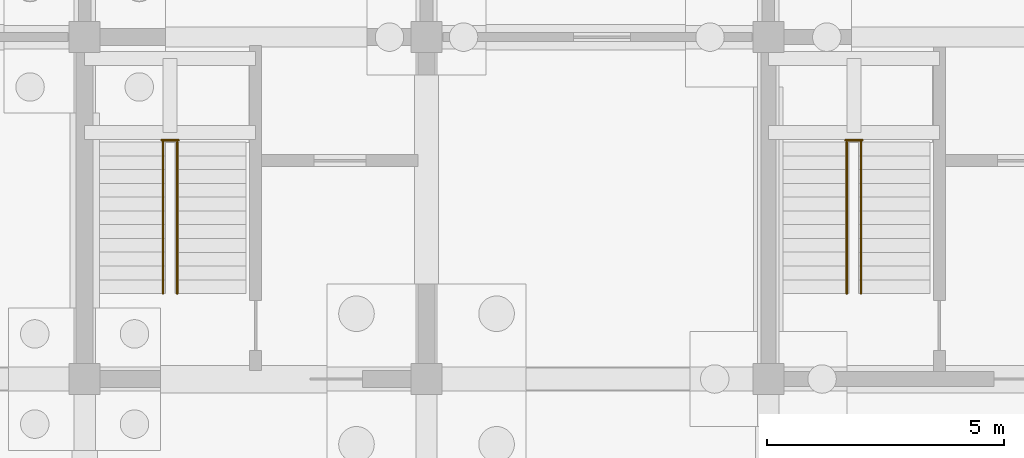
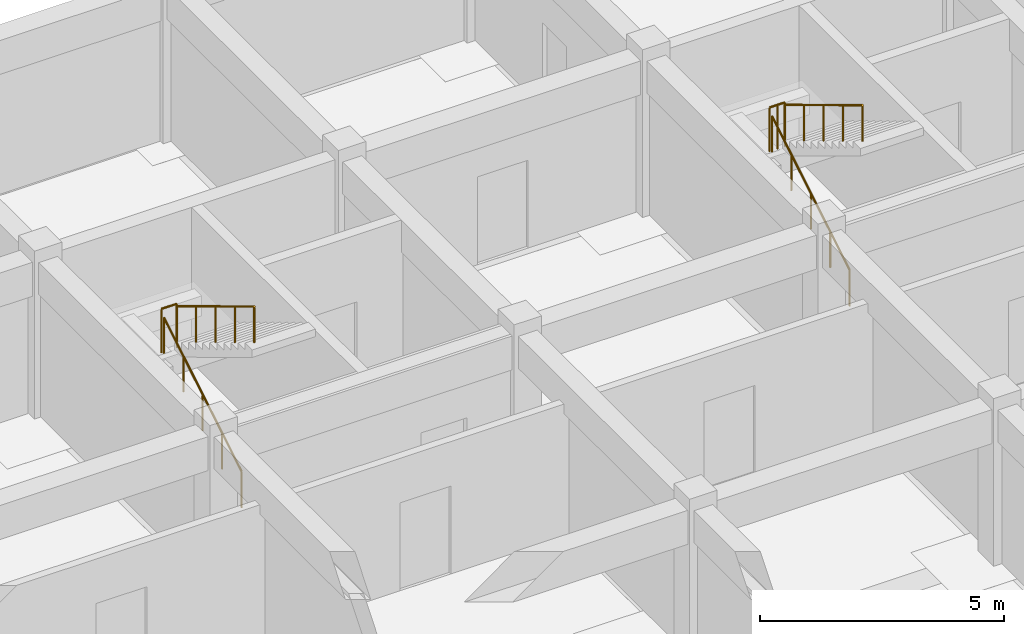
# One storey, part 38 of 38: 6 railings.
"""IFC4 building model written with IfcOpenShell, lengths in metres."""

from ifc_helpers import new_model, si_unit, direction, frame, origin, origin_2d, place, context, subcontext, project, spatial, circle, extrude, material, type_object, element, save


model = new_model("IFC4")

# Units and contexts
model_context = context("Model", 3, precision=1e-05, world=origin(), true_north=direction((0.0, 1.0)))
body_context = subcontext(model_context, "Body", "Model", "MODEL_VIEW")
ifc_project = project(units=[si_unit("LENGTHUNIT", "METRE"), si_unit("AREAUNIT", "SQUARE_METRE"), si_unit("VOLUMEUNIT", "CUBIC_METRE"), si_unit("PLANEANGLEUNIT", "RADIAN"), si_unit("MASSUNIT", "GRAM", prefix="KILO"), si_unit("THERMODYNAMICTEMPERATUREUNIT", "KELVIN"), si_unit("POWERUNIT", "WATT")], contexts=[model_context])

# Site, building, storey
site_placement = place(None, origin())
site = spatial("IfcSite", under=ifc_project, at=site_placement, CompositionType="ELEMENT")
building_placement = place(site_placement, origin())
building = spatial("IfcBuilding", under=site, at=building_placement, Name="Tavuni Mirador Residences", CompositionType="ELEMENT")
storey_placement = place(building_placement, frame((0.0, 0.0, -4.199951171875)))
storey = spatial("IfcBuildingStorey", under=building, at=storey_placement, Name="B1", CompositionType="ELEMENT", Elevation=-4.199951171875)

# Railings
ifc_material = material(Name="Structural steel S355", Category="steel")
railing_type_1 = type_object("IfcRailingType", Name="RT-GR1120", PredefinedType="GUARDRAIL", material=ifc_material)
railing_1_placement = place(storey_placement, frame((26.820068359375, 163.429931640625, 2.099853515625)))
element("IfcRailing", 1, at=railing_1_placement, inside=storey, type_object=railing_type_1, Name="GRD-HL-ST5-B1", PredefinedType="GUARDRAIL", context=body_context, shape_type="SweptSolid", body=[
    extrude(circle(Radius=0.02392578125, at=origin_2d()), frame((0.0, 0.0, 1.09619140625), z_axis=(1.0, 0.0, 0.0), x_axis=(0.0, 1.0, 0.0)), (0.0, 0.0, 1.0), 0.35986328125),
    extrude(circle(Radius=0.02099609375, at=origin_2d()), origin(), (0.0, 0.0, 1.0), 1.072021484375),
    extrude(circle(Radius=0.02099609375, at=origin_2d()), frame((0.35986328125, 0.0, 0.0)), (0.0, 0.0, 1.0), 1.072021484375),
])
railing_2_placement = place(storey_placement, frame((41.219970703125, 163.429931640625, 2.099853515625)))
element("IfcRailing", 2, at=railing_2_placement, inside=storey, type_object=railing_type_1, Name="GRD-HL-ST6-B1", PredefinedType="GUARDRAIL", context=body_context, shape_type="SweptSolid", body=[
    extrude(circle(Radius=0.02392578125, at=origin_2d()), frame((0.0, 0.0, 1.09619140625), z_axis=(1.0, 0.0, 0.0), x_axis=(0.0, 1.0, 0.0)), (0.0, 0.0, 1.0), 0.360107421875),
    extrude(circle(Radius=0.02099609375, at=origin_2d()), origin(), (0.0, 0.0, 1.0), 1.072021484375),
    extrude(circle(Radius=0.02099609375, at=origin_2d()), frame((0.18017578125, 0.0, 0.0)), (0.0, 0.0, 1.0), 1.072021484375),
    extrude(circle(Radius=0.02099609375, at=origin_2d()), frame((0.360107421875, 0.0, 0.0)), (0.0, 0.0, 1.0), 1.072021484375),
])
railing_type_2 = type_object("IfcRailingType", Name="RT-HR920", PredefinedType="HANDRAIL", material=ifc_material)
railing_3_placement = place(storey_placement, frame((26.85009765625, 160.199951171875, 0.175048828125)))
element("IfcRailing", 3, at=railing_3_placement, inside=storey, type_object=railing_type_2, Name="HR-ST5-B1-F1", PredefinedType="HANDRAIL", context=body_context, shape_type="SweptSolid", body=[
    extrude(circle(Radius=0.02392578125, at=origin_2d()), frame((0.0, 0.0, 0.89599609375), z_axis=(0.0, 0.856206652436, 0.516633495163), x_axis=(-1.0, 0.0, 0.0)), (0.0, 0.0, 1.0), 3.7255859375),
    extrude(circle(Radius=0.02099609375, at=origin_2d()), origin(), (0.0, 0.0, 1.0), 0.871826171875),
    extrude(circle(Radius=0.02099609375, at=origin_2d()), frame((0.0, 0.79736328125, 0.481201171875)), (0.0, 0.0, 1.0), 0.871826171875),
    extrude(circle(Radius=0.02099609375, at=origin_2d()), frame((0.0, 1.594970703125, 0.96240234375)), (0.0, 0.0, 1.0), 0.871826171875),
    extrude(circle(Radius=0.02099609375, at=origin_2d()), frame((0.0, 2.392578125, 1.443603515625)), (0.0, 0.0, 1.0), 0.871826171875),
    extrude(circle(Radius=0.02099609375, at=origin_2d()), frame((0.0, 3.18994140625, 1.9248046875)), (0.0, 0.0, 1.0), 0.871826171875),
])
railing_4_placement = place(storey_placement, frame((27.14990234375, 163.389892578125, 2.27490234375)))
element("IfcRailing", 4, at=railing_4_placement, inside=storey, type_object=railing_type_2, Name="HR-ST5-B1-F2", PredefinedType="HANDRAIL", context=body_context, shape_type="SweptSolid", body=[
    extrude(circle(Radius=0.02392578125, at=origin_2d()), frame((0.0, 0.0, 0.89599609375), z_axis=(0.0, -0.856177665481, 0.516681531633), x_axis=(1.0, 0.0, 0.0)), (0.0, 0.0, 1.0), 3.725830078125),
    extrude(circle(Radius=0.02099609375, at=origin_2d()), origin(), (0.0, 0.0, 1.0), 0.871826171875),
    extrude(circle(Radius=0.02099609375, at=origin_2d()), frame((0.0, -0.79736328125, 0.481201171875)), (0.0, 0.0, 1.0), 0.871826171875),
    extrude(circle(Radius=0.02099609375, at=origin_2d()), frame((0.0, -1.594970703125, 0.96240234375)), (0.0, 0.0, 1.0), 0.871826171875),
    extrude(circle(Radius=0.02099609375, at=origin_2d()), frame((0.0, -2.392578125, 1.44384765625)), (0.0, 0.0, 1.0), 0.871826171875),
    extrude(circle(Radius=0.02099609375, at=origin_2d()), frame((0.0, -3.18994140625, 1.925048828125)), (0.0, 0.0, 1.0), 0.871826171875),
])
railing_5_placement = place(storey_placement, frame((41.25, 160.199951171875, 0.175048828125)))
element("IfcRailing", 5, at=railing_5_placement, inside=storey, type_object=railing_type_2, Name="HR-ST6-B1-F1", PredefinedType="HANDRAIL", context=body_context, shape_type="SweptSolid", body=[
    extrude(circle(Radius=0.02392578125, at=origin_2d()), frame((0.0, 0.0, 0.89599609375), z_axis=(0.0, 0.856206652436, 0.516633495163), x_axis=(-1.0, 0.0, 0.0)), (0.0, 0.0, 1.0), 3.7255859375),
    extrude(circle(Radius=0.02099609375, at=origin_2d()), origin(), (0.0, 0.0, 1.0), 0.871826171875),
    extrude(circle(Radius=0.02099609375, at=origin_2d()), frame((0.0, 0.79736328125, 0.481201171875)), (0.0, 0.0, 1.0), 0.871826171875),
    extrude(circle(Radius=0.02099609375, at=origin_2d()), frame((0.0, 1.594970703125, 0.96240234375)), (0.0, 0.0, 1.0), 0.871826171875),
    extrude(circle(Radius=0.02099609375, at=origin_2d()), frame((0.0, 2.392578125, 1.443603515625)), (0.0, 0.0, 1.0), 0.871826171875),
    extrude(circle(Radius=0.02099609375, at=origin_2d()), frame((0.0, 3.18994140625, 1.9248046875)), (0.0, 0.0, 1.0), 0.871826171875),
])
railing_6_placement = place(storey_placement, frame((41.550048828125, 163.389892578125, 2.27490234375)))
element("IfcRailing", 6, at=railing_6_placement, inside=storey, type_object=railing_type_2, Name="HR-ST6-B1-F2", PredefinedType="HANDRAIL", context=body_context, shape_type="SweptSolid", body=[
    extrude(circle(Radius=0.02392578125, at=origin_2d()), frame((0.0, 0.0, 0.89599609375), z_axis=(0.0, -0.856177665481, 0.516681531633), x_axis=(1.0, 0.0, 0.0)), (0.0, 0.0, 1.0), 3.725830078125),
    extrude(circle(Radius=0.02099609375, at=origin_2d()), origin(), (0.0, 0.0, 1.0), 0.871826171875),
    extrude(circle(Radius=0.02099609375, at=origin_2d()), frame((0.0, -0.79736328125, 0.481201171875)), (0.0, 0.0, 1.0), 0.871826171875),
    extrude(circle(Radius=0.02099609375, at=origin_2d()), frame((0.0, -1.594970703125, 0.96240234375)), (0.0, 0.0, 1.0), 0.871826171875),
    extrude(circle(Radius=0.02099609375, at=origin_2d()), frame((0.0, -2.392578125, 1.44384765625)), (0.0, 0.0, 1.0), 0.871826171875),
    extrude(circle(Radius=0.02099609375, at=origin_2d()), frame((0.0, -3.18994140625, 1.925048828125)), (0.0, 0.0, 1.0), 0.871826171875),
])

save(model, "model.ifc")
